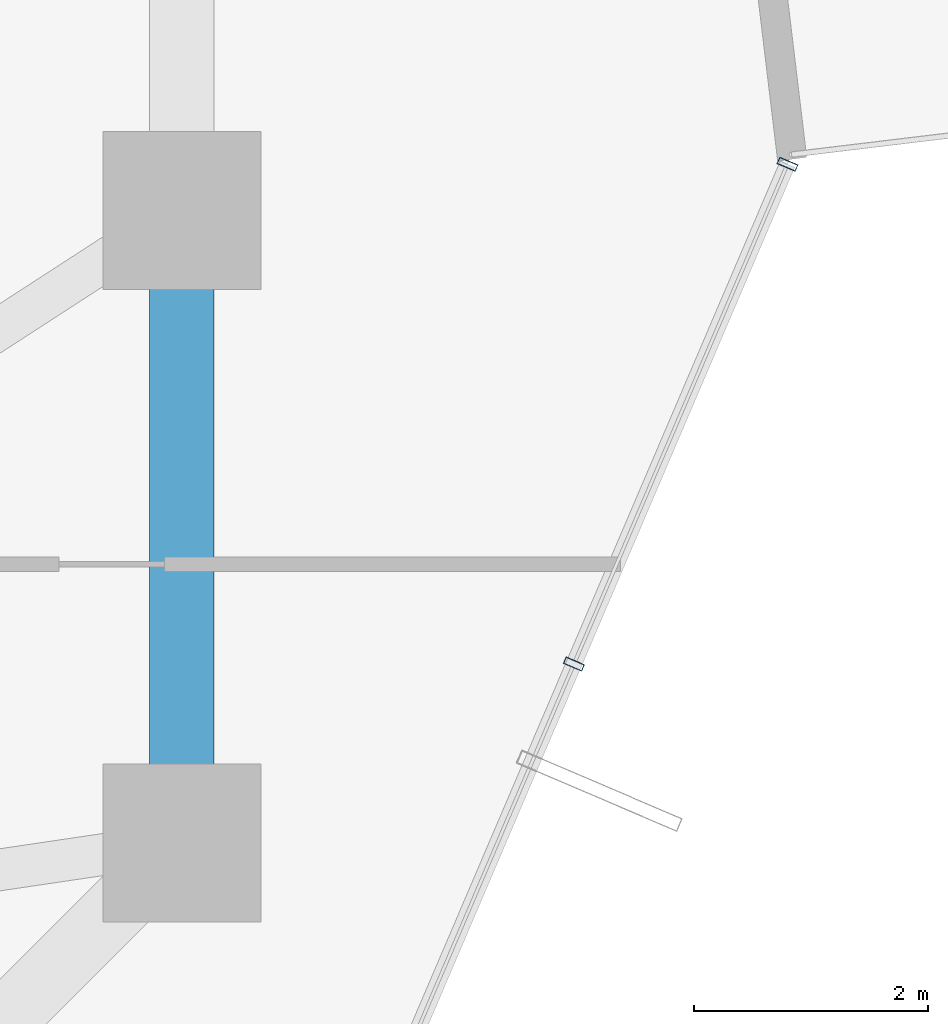
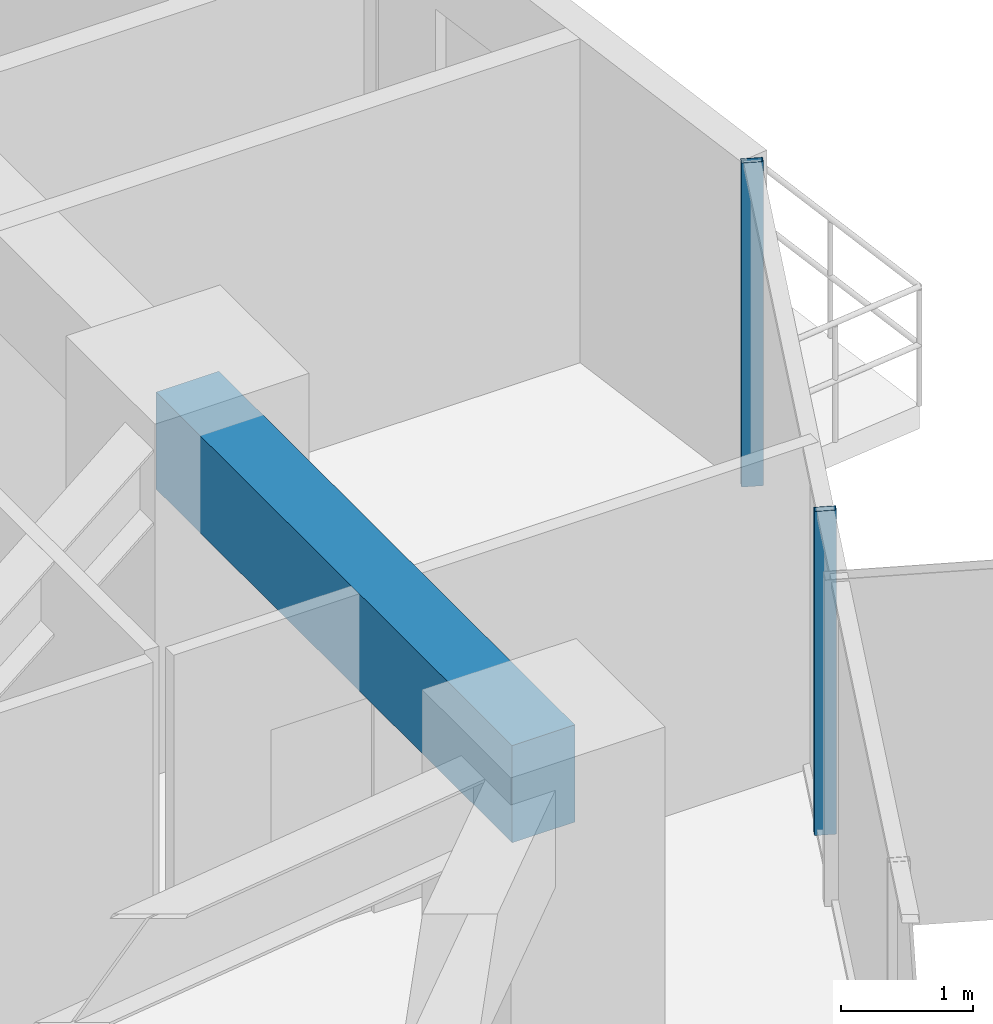
# One storey, part 18 of 37: 2 members, 1 beam, 1 element without a shape of its own.
"""IFC4 building model written with IfcOpenShell, lengths in metres."""

from ifc_helpers import new_model, si_unit, direction, frame, origin, origin_2d, place, context, subcontext, project, spatial, rectangle, hollow_rectangle, extrude, source, transform, mapped, material, layer, layer_set, material_profile, profile_set, type_object, element, aggregate, save


model = new_model("IFC4")

# Units and contexts
model_context = context("Model", 3, precision=1e-05, world=origin(), true_north=direction((0.0, 1.0)))
body_context = subcontext(model_context, "Body", "Model", "MODEL_VIEW")
ifc_project = project(units=[si_unit("LENGTHUNIT", "METRE"), si_unit("AREAUNIT", "SQUARE_METRE"), si_unit("VOLUMEUNIT", "CUBIC_METRE"), si_unit("PLANEANGLEUNIT", "RADIAN"), si_unit("MASSUNIT", "GRAM", prefix="KILO")], contexts=[model_context])

# Site, building, storey
site_placement = place(None, origin())
site = spatial("IfcSite", under=ifc_project, at=site_placement, CompositionType="ELEMENT")
building_placement = place(site_placement, origin())
building = spatial("IfcBuilding", under=site, at=building_placement, Name="Veraguas Prism Commons", CompositionType="ELEMENT")
storey_placement = place(building_placement, frame((0.0, 0.0, 46.800048828125)))
storey = spatial("IfcBuildingStorey", under=building, at=storey_placement, Name="L12", CompositionType="ELEMENT", Elevation=46.800048828125)

# Beam
ifc_material_1 = material(Name="Concrete C50/60", Category="concrete")
ifc_material_profile_1 = material_profile(ifc_material_1, rectangle(XDim=0.550048828125, YDim=0.89990234375, at=origin_2d()), Name="RC550X900")
ifc_profile_set_1 = profile_set([ifc_material_profile_1], Name="Concrete C50/60")
beam_type = type_object("IfcBeamType", Name="Perimeter Spandrel Lower RC 550x900", PredefinedType="SPANDREL", material=ifc_profile_set_1)
beam_placement = place(storey_placement, frame((41.60009765625, 18.60009765625, 2.550048828125), z_axis=(0.0, 1.0, 0.0), x_axis=(-1.0, 0.0, 0.0)))
element("IfcBeam", 1, at=beam_placement, inside=storey, type_object=beam_type, Name="Perimeter Spandrel Beam L12-SP01", PredefinedType="SPANDREL", context=body_context, shape_type="SweptSolid", body=[
    extrude(rectangle(XDim=0.550048828125, YDim=0.89990234375, at=origin_2d()), origin(), (0.0, 0.0, 1.0), 5.39990234375),
])

# Curtain wall, members
ifc_material_2 = material(Name="Anodised aluminium EN AW-6063 T6", Category="aluminium")
ifc_layer = layer(ifc_material_2, 0.169921875, Name="Unitised Flush Curtain Wall Zone 1", Category="aluminium")
ifc_layer_set = layer_set([ifc_layer], Name="Anodised aluminium EN AW-6063 T6")
curtain_wall_type = type_object("IfcCurtainWallType", Name="Unitised Flush Curtain Wall Zone 1", PredefinedType="NOTDEFINED", material=ifc_layer_set)
curtain_wall_placement = place(storey_placement, origin())
curtain_wall = element("IfcCurtainWall", 2, at=curtain_wall_placement, inside=storey, type_object=curtain_wall_type, Name="Tower Facade Curtain Wall L12-F6", PredefinedType="NOTDEFINED")
ifc_material_profile_2 = material_profile(ifc_material_2, hollow_rectangle(XDim=0.06005859375, YDim=0.169921875, WallThickness=0.00390625, at=origin_2d()), Name="AL60X170X4")
ifc_profile_set_2 = profile_set([ifc_material_profile_2], Name="Anodised aluminium EN AW-6063 T6")
member_type = type_object("IfcMemberType", Name="Curtain Wall Mullion Lower AL 60x170x4", PredefinedType="MULLION", material=ifc_profile_set_2)
shared_shape = source(origin(), body_context, "Body", "SweptSolid", [
    extrude(hollow_rectangle(XDim=0.06005859375, YDim=0.169921875, WallThickness=0.00390625, at=origin_2d()), origin(), (0.0, 0.0, 1.0), 3.0),
])
member_1_placement = place(storey_placement, frame((44.947998046875, 20.127197265625, 0.0), z_axis=(0.0, 0.0, 1.0), x_axis=(0.392977572574, 0.919548056087, 0.0)))
member_1 = element("IfcMember", 3, at=member_1_placement, type_object=member_type, Name="CW-Z1 Mullion 4", PredefinedType="MULLION", context=body_context, shape_type="MappedRepresentation", body=[
    mapped(shared_shape, transform((0.0, 0.0, 0.0), scale=1.0)),
])
member_2_placement = place(storey_placement, frame((46.771728515625, 24.394775390625, 0.0), z_axis=(0.0, 0.0, 1.0), x_axis=(0.392977572574, 0.919548056087, 0.0)))
member_2 = element("IfcMember", 4, at=member_2_placement, type_object=member_type, Name="CW-Z1 Mullion 5", PredefinedType="MULLION", context=body_context, shape_type="MappedRepresentation", body=[
    mapped(shared_shape, transform((0.0, 0.0, 0.0), scale=1.0)),
])
aggregate(curtain_wall, [member_1, member_2])

save(model, "model.ifc")
